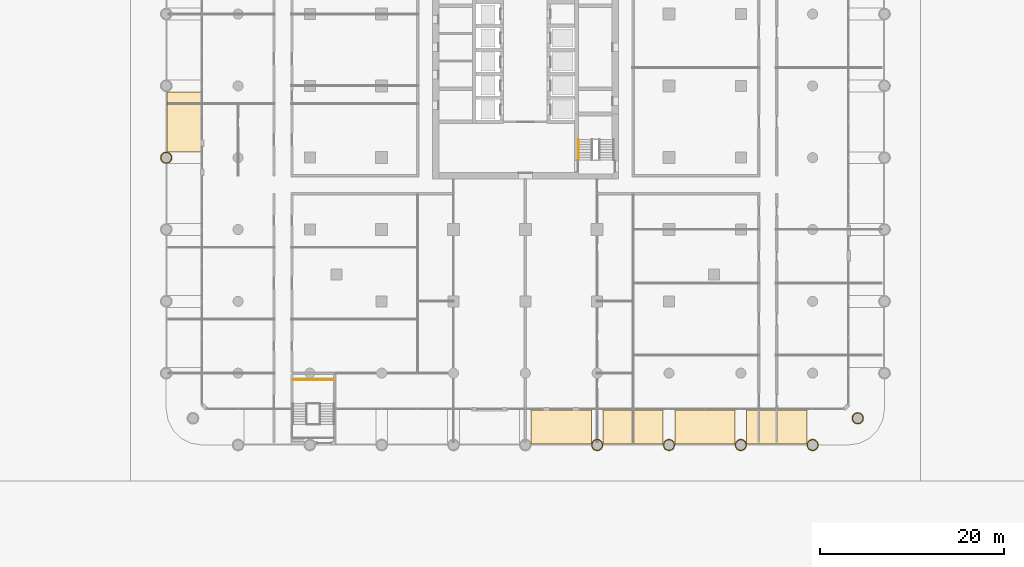
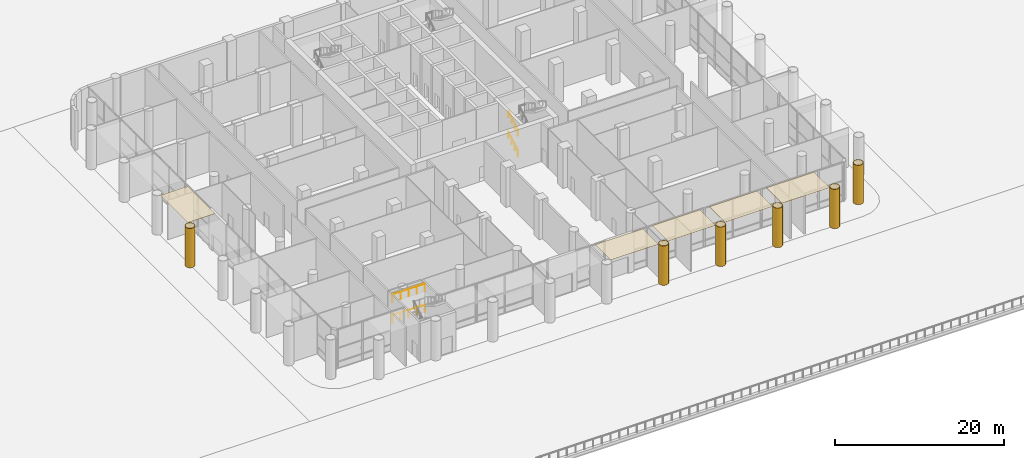
# One storey, part 26 of 32: 11 coverings, 4 railings, 2 elements without a shape of their own.
"""IFC4 building model written with IfcOpenShell, lengths in metres."""

import ifcopenshell
import ifcopenshell.guid

model = None  # the IFC model being written
_history = None  # IfcOwnerHistory: only IFC2X3 demands one
_inside = {}  # id of a spatial element -> (the spatial element, [elements in it])
_under = {}  # id of a project, library or spatial element -> (it, [spatial elements below it])
_declared = {}  # id of a project -> (the project, [libraries it declares])
_typed = {}  # id of a type object -> (the type object, [elements of that type])
_made_of = {}  # id of a material, layer set ... -> (it, [elements and type objects made of it])


def new_model(schema):
    """Start an empty IFC model of exactly this schema.

    Asked for "IFC4X3", IfcOpenShell would pick the latest addendum, in which some entities
    have other attributes; the version numbers below select the first issue.
    IFC2X3 requires an IfcOwnerHistory on every rooted entity: one is made here for all.
    """
    global model, _history
    if schema == "IFC4X3":
        model = ifcopenshell.file(schema_version=(4, 3, 0, 0))
    else:
        model = ifcopenshell.file(schema=schema)
    _inside.clear()
    _under.clear()
    _declared.clear()
    _typed.clear()
    _made_of.clear()
    _history = None
    if model.schema == "IFC2X3":
        org = make("IfcOrganization", Name="unknown")
        user = make(
            "IfcPersonAndOrganization",
            ThePerson=make("IfcPerson", FamilyName="unknown"),
            TheOrganization=org,
        )
        app = make(
            "IfcApplication",
            ApplicationDeveloper=org,
            Version="unknown",
            ApplicationFullName="unknown",
            ApplicationIdentifier="unknown",
        )
        _history = make(
            "IfcOwnerHistory",
            OwningUser=user,
            OwningApplication=app,
            ChangeAction="ADDED",
            CreationDate=0,
        )
    return model


def make(cls, **values):
    """One entity of the class cls with the attributes given. An attribute that is None is left unset."""
    return model.create_entity(
        cls, **{name: value for name, value in values.items() if value is not None}
    )


def rooted(cls, **values):
    """An entity with a GlobalId (a new one), such as an element, a storey or a relation."""
    return make(cls, GlobalId=ifcopenshell.guid.new(), OwnerHistory=_history, **values)


def si_unit(unit_type, name, prefix=None):
    """IfcSIUnit, for example si_unit("LENGTHUNIT", "METRE", prefix="MILLI")."""
    return make("IfcSIUnit", UnitType=unit_type, Prefix=prefix, Name=name)


def assignment(units):
    """IfcUnitAssignment: the units of a project."""
    return None if units is None else make("IfcUnitAssignment", Units=units)


def point(xyz):
    """IfcCartesianPoint."""
    return None if xyz is None else make("IfcCartesianPoint", Coordinates=xyz)


def direction(xyz):
    """IfcDirection."""
    return None if xyz is None else make("IfcDirection", DirectionRatios=xyz)


def frame(location, z_axis=None, x_axis=None):
    """IfcAxis2Placement3D, a coordinate frame: its origin and axes. An axis left out is left unset."""
    return make(
        "IfcAxis2Placement3D",
        Location=point(location),
        Axis=direction(z_axis),
        RefDirection=direction(x_axis),
    )


def frame_2d(location, x_axis=None):
    """IfcAxis2Placement2D, a coordinate frame in the plane: its origin and x axis."""
    return make(
        "IfcAxis2Placement2D", Location=point(location), RefDirection=direction(x_axis)
    )


def origin():
    """The frame at (0, 0, 0) with its axes left unset."""
    return frame((0.0, 0.0, 0.0))


def origin_2d():
    """The frame at (0, 0) in the plane with its x axis left unset."""
    return frame_2d((0.0, 0.0))


def place(relative_to, where):
    """IfcLocalPlacement: puts the frame where relative to a parent placement (None: the world)."""
    return make(
        "IfcLocalPlacement", PlacementRelTo=relative_to, RelativePlacement=where
    )


def context(
    kind, dimensions, precision=None, world=None, true_north=None, identifier=None
):
    """IfcGeometricRepresentationContext, for example the 3D "Model" context."""
    return make(
        "IfcGeometricRepresentationContext",
        ContextIdentifier=identifier,
        ContextType=kind,
        CoordinateSpaceDimension=dimensions,
        Precision=precision,
        WorldCoordinateSystem=world,
        TrueNorth=true_north,
    )


def subcontext(parent, identifier, kind, view, scale=None):
    """IfcGeometricRepresentationSubContext, for example "Body" below "Model"."""
    return make(
        "IfcGeometricRepresentationSubContext",
        ContextIdentifier=identifier,
        ContextType=kind,
        ParentContext=parent,
        TargetScale=scale,
        TargetView=view,
    )


def project(units=None, contexts=None):
    """IfcProject with its units and contexts."""
    return rooted(
        "IfcProject",
        Name="project",
        RepresentationContexts=contexts,
        UnitsInContext=assignment(units),
    )


def spatial(cls, under=None, at=None, **own):
    """A site, building, storey or space (cls), placed at a placement, below another one or the project."""
    s = rooted(cls, ObjectPlacement=at, **own)
    if under is not None:
        _under.setdefault(under.id(), (under, []))[1].append(s)
    return s


def polyline(points):
    """IfcPolyline through the points."""
    return make("IfcPolyline", Points=[point(p) for p in points])


def profile(cls, at=None, kind="AREA", **sizes):
    """A parametric profile (cls). Its sizes go by their IFC names, for example OverallWidth=200.0."""
    return make(cls, ProfileType=kind, Position=at, **sizes)


def rectangle(**sizes):
    """IfcRectangleProfileDef."""
    return profile("IfcRectangleProfileDef", **sizes)


def circle(**sizes):
    """IfcCircleProfileDef."""
    return profile("IfcCircleProfileDef", **sizes)


def outline(outer, holes=None, kind="AREA"):
    """IfcArbitraryClosedProfileDef: a profile drawn as a closed curve; with holes, ...WithVoids."""
    if holes is None:
        return make("IfcArbitraryClosedProfileDef", ProfileType=kind, OuterCurve=outer)
    return make(
        "IfcArbitraryProfileDefWithVoids",
        ProfileType=kind,
        OuterCurve=outer,
        InnerCurves=holes,
    )


def extrude(swept, where, along, depth):
    """IfcExtrudedAreaSolid: the profile swept, set in the frame where, extruded along a direction by depth."""
    return make(
        "IfcExtrudedAreaSolid",
        SweptArea=swept,
        Position=where,
        ExtrudedDirection=direction(along),
        Depth=depth,
    )


def shape(context_of_items, identifier, shape_type, items):
    """IfcShapeRepresentation: the items that make up one representation, for example the "Body"."""
    return make(
        "IfcShapeRepresentation",
        ContextOfItems=context_of_items,
        RepresentationIdentifier=identifier,
        RepresentationType=shape_type,
        Items=items,
    )


def material(Name=None, Category=None):
    """IfcMaterial."""
    return make("IfcMaterial", Name=Name, Category=Category)


def layer(
    of_material, thickness, ventilated=None, Name=None, Category=None, Priority=None
):
    """IfcMaterialLayer: one layer of a wall or slab, of a material (None: an air gap)."""
    return make(
        "IfcMaterialLayer",
        Material=of_material,
        LayerThickness=thickness,
        IsVentilated=ventilated,
        Name=Name,
        Category=Category,
        Priority=Priority,
    )


def layer_set(layers, Name=None):
    """IfcMaterialLayerSet."""
    return make("IfcMaterialLayerSet", MaterialLayers=layers, LayerSetName=Name)


def made_of(thing, what):
    """Note that an element or type object is made of a material, layer set ...; save() writes the relation."""
    if what is not None:
        _made_of.setdefault(what.id(), (what, []))[1].append(thing)
    return thing


def type_object(cls, material=None, **own):
    """A type object (cls), such as IfcWallType, which elements share."""
    return made_of(rooted(cls, **own), material)


def element(
    cls,
    number,
    at=None,
    inside=None,
    cuts=None,
    type_object=None,
    material=None,
    context=None,
    identifier="Body",
    shape_type=None,
    held_by="IfcProductDefinitionShape",
    body=None,
    shapes=None,
    **own,
):
    """One element of the class cls, such as IfcWall. Its Tag is "e" and its number.

    at: its placement. inside: the storey or other place that contains it. cuts: it is an
    opening in that element (IfcRelVoidsElement). A single representation is given by context,
    identifier, shape_type and body (its items); several are given by shapes. held_by: the class
    of the entity that holds the representations. save() writes the other relations.
    """
    e = rooted(cls, Tag="e%d" % number, ObjectPlacement=at, **own)
    if body is not None:
        shapes = [shape(context, identifier, shape_type, body)]
    if shapes is not None:
        e.Representation = make(held_by, Representations=shapes)
    if inside is not None:
        _inside.setdefault(inside.id(), (inside, []))[1].append(e)
    if cuts is not None:
        rooted(
            "IfcRelVoidsElement", RelatingBuildingElement=cuts, RelatedOpeningElement=e
        )
    if type_object is not None:
        _typed.setdefault(type_object.id(), (type_object, []))[1].append(e)
    return made_of(e, material)


def aggregate(whole, parts):
    """IfcRelAggregates: a whole, such as a stair, and the parts it consists of."""
    return rooted("IfcRelAggregates", RelatingObject=whole, RelatedObjects=parts)


def save(model, path):
    """Write the relations noted so far, then the file.

    IfcRelAggregates (storeys below a building ...), IfcRelContainedInSpatialStructure (elements
    in a storey), IfcRelDefinesByType, IfcRelAssociatesMaterial and IfcRelDeclares: one each for
    every whole, place, type object, material and project.
    """
    for whole, parts in _under.values():
        aggregate(whole, parts)
    for where, things in _inside.values():
        rooted(
            "IfcRelContainedInSpatialStructure",
            RelatedElements=things,
            RelatingStructure=where,
        )
    for kind, things in _typed.values():
        rooted("IfcRelDefinesByType", RelatedObjects=things, RelatingType=kind)
    for what, things in _made_of.values():
        rooted("IfcRelAssociatesMaterial", RelatedObjects=things, RelatingMaterial=what)
    for by, libraries in _declared.values():
        rooted("IfcRelDeclares", RelatingContext=by, RelatedDefinitions=libraries)
    model.write(path)


model = new_model("IFC4")

# Units and contexts
model_context = context("Model", 3, precision=1e-05, world=origin(), true_north=direction((0.0, 1.0)))
body_context = subcontext(model_context, "Body", "Model", "MODEL_VIEW")
ifc_project = project(units=[si_unit("LENGTHUNIT", "METRE"), si_unit("AREAUNIT", "SQUARE_METRE"), si_unit("VOLUMEUNIT", "CUBIC_METRE"), si_unit("PLANEANGLEUNIT", "RADIAN"), si_unit("MASSUNIT", "GRAM", prefix="KILO")], contexts=[model_context])

# Site, building, storey
site_placement = place(None, origin())
site = spatial("IfcSite", under=ifc_project, at=site_placement, CompositionType="ELEMENT")
building_placement = place(site_placement, origin())
building = spatial("IfcBuilding", under=site, at=building_placement, Name="Ludao Terraces", CompositionType="ELEMENT")
storey_placement = place(building_placement, origin())
storey = spatial("IfcBuildingStorey", under=building, at=storey_placement, Name="L00", CompositionType="ELEMENT", Elevation=0.0)

# Coverings
ifc_material_1 = material(Name="Stone-effect cement board ceiling lining", Category="masonry")
ifc_layer_1 = layer(ifc_material_1, 0.030029296875)
ifc_layer_set_1 = layer_set([ifc_layer_1], Name="ENV Arcade ceiling lining 30")
covering_type_1 = type_object("IfcCoveringType", Name="ENV Arcade ceiling lining 30", PredefinedType="CEILING", material=ifc_layer_set_1)
for number, where, z_axis, x_axis, name in (
    (1, (88.89990234375, 27.9599609375, 5.669921875), (0.0, 0.0, 1.0), (1.0, 0.0, 0.0), "CL-L00-S5"),
    (2, (96.699951171875, 27.9599609375, 5.669921875), (0.0, 0.0, 1.0), (1.0, 0.0, 0.0), "CL-L00-S6"),
    (3, (104.5, 27.9599609375, 5.669921875), (0.0, 0.0, 1.0), (1.0, 0.0, 0.0), "CL-L00-S7"),
    (4, (112.300048828125, 27.9599609375, 5.669921875), (0.0, 0.0, 1.0), (1.0, 0.0, 0.0), "CL-L00-S8"),
):
    element("IfcCovering", number, at=place(storey_placement, frame(where, z_axis=z_axis, x_axis=x_axis)), inside=storey, type_object=covering_type_1, Name=name, PredefinedType="CEILING", context=body_context, shape_type="SweptSolid", body=[
        extrude(rectangle(XDim=6.52001953125, YDim=3.719970703125, at=origin_2d()), origin(), (0.0, 0.0, 1.0), 0.030029296875),
    ])
covering_1_placement = place(storey_placement, frame((47.9599609375, 61.10009765625, 5.669921875), z_axis=(0.0, 0.0, 1.0), x_axis=(1.0, 0.0, 0.0)))
element("IfcCovering", 5, at=covering_1_placement, inside=storey, type_object=covering_type_1, Name="CL-L00-W4", PredefinedType="CEILING", context=body_context, shape_type="SweptSolid", body=[
    extrude(rectangle(XDim=3.719970703125, YDim=6.52001953125, at=origin_2d()), origin(), (0.0, 0.0, 1.0), 0.030029296875),
])
ifc_material_2 = material(Name="Granite cladding", Category="masonry")
ifc_layer_2 = layer(ifc_material_2, 0.06005859375)
ifc_layer_set_2 = layer_set([ifc_layer_2], Name="ENV Stone column casing 60")
covering_type_2 = type_object("IfcCoveringType", Name="ENV Stone column casing 60", PredefinedType="CLADDING", material=ifc_layer_set_2)
covering_2_placement = place(storey_placement, origin())
element("IfcCovering", 6, at=covering_2_placement, inside=storey, type_object=covering_type_2, Name="CC-L00-G-156x0156", PredefinedType="CLADDING", context=body_context, shape_type="SweptSolid", body=[
    extrude(outline(polyline([(46.61474609375, 57.199951171875), (46.59375, 57.359130859375), (46.532470703125, 57.50732421875), (46.4345703125, 57.634765625), (46.307373046875, 57.732421875), (46.1591796875, 57.793701171875), (46.0, 57.814697265625), (45.8408203125, 57.793701171875), (45.692626953125, 57.732421875), (45.5654296875, 57.634765625), (45.467529296875, 57.50732421875), (45.40625, 57.359130859375), (45.38525390625, 57.199951171875), (45.40625, 57.040771484375), (45.467529296875, 56.892578125), (45.5654296875, 56.765380859375), (45.692626953125, 56.667724609375), (45.8408203125, 56.606201171875), (46.0, 56.585205078125), (46.1591796875, 56.606201171875), (46.307373046875, 56.667724609375), (46.4345703125, 56.765380859375), (46.532470703125, 56.892578125), (46.59375, 57.040771484375), (46.61474609375, 57.199951171875)]), holes=[polyline([(46.535888671875, 57.056396484375), (46.48046875, 56.922607421875), (46.392333984375, 56.8076171875), (46.27734375, 56.719482421875), (46.1435546875, 56.6640625), (46.0, 56.645263671875), (45.8564453125, 56.6640625), (45.72265625, 56.719482421875), (45.607666015625, 56.8076171875), (45.51953125, 56.922607421875), (45.464111328125, 57.056396484375), (45.4453125, 57.199951171875), (45.464111328125, 57.343505859375), (45.51953125, 57.477294921875), (45.607666015625, 57.59228515625), (45.72265625, 57.680419921875), (45.8564453125, 57.73583984375), (46.0, 57.754638671875), (46.1435546875, 57.73583984375), (46.27734375, 57.680419921875), (46.392333984375, 57.59228515625), (46.48046875, 57.477294921875), (46.535888671875, 57.343505859375), (46.5546875, 57.199951171875), (46.535888671875, 57.056396484375)])]), origin(), (0.0, 0.0, 1.0), 5.699951171875),
])
covering_3_placement = place(storey_placement, origin())
element("IfcCovering", 7, at=covering_3_placement, inside=storey, type_object=covering_type_2, Name="CC-L00-G0312x-156", PredefinedType="CLADDING", context=body_context, shape_type="SweptSolid", body=[
    extrude(outline(polyline([(93.414794921875, 26.0), (93.393798828125, 26.1591796875), (93.332275390625, 26.307373046875), (93.234619140625, 26.4345703125), (93.107421875, 26.532470703125), (92.959228515625, 26.59375), (92.800048828125, 26.61474609375), (92.640869140625, 26.59375), (92.49267578125, 26.532470703125), (92.365234375, 26.4345703125), (92.267578125, 26.307373046875), (92.206298828125, 26.1591796875), (92.185302734375, 26.0), (92.206298828125, 25.8408203125), (92.267578125, 25.692626953125), (92.365234375, 25.5654296875), (92.49267578125, 25.467529296875), (92.640869140625, 25.40625), (92.800048828125, 25.38525390625), (92.959228515625, 25.40625), (93.107421875, 25.467529296875), (93.234619140625, 25.5654296875), (93.332275390625, 25.692626953125), (93.393798828125, 25.8408203125), (93.414794921875, 26.0)]), holes=[polyline([(93.3359375, 25.8564453125), (93.280517578125, 25.72265625), (93.1923828125, 25.607666015625), (93.077392578125, 25.51953125), (92.943603515625, 25.464111328125), (92.800048828125, 25.4453125), (92.656494140625, 25.464111328125), (92.522705078125, 25.51953125), (92.40771484375, 25.607666015625), (92.319580078125, 25.72265625), (92.26416015625, 25.8564453125), (92.245361328125, 26.0), (92.26416015625, 26.1435546875), (92.319580078125, 26.27734375), (92.40771484375, 26.392333984375), (92.522705078125, 26.48046875), (92.656494140625, 26.535888671875), (92.800048828125, 26.5546875), (92.943603515625, 26.535888671875), (93.077392578125, 26.48046875), (93.1923828125, 26.392333984375), (93.280517578125, 26.27734375), (93.3359375, 26.1435546875), (93.354736328125, 26.0), (93.3359375, 25.8564453125)])]), origin(), (0.0, 0.0, 1.0), 5.699951171875),
])
covering_4_placement = place(storey_placement, origin())
element("IfcCovering", 8, at=covering_4_placement, inside=storey, type_object=covering_type_2, Name="CC-L00-G0390x-156", PredefinedType="CLADDING", context=body_context, shape_type="SweptSolid", body=[
    extrude(outline(polyline([(101.21484375, 26.0), (101.19384765625, 26.1591796875), (101.13232421875, 26.307373046875), (101.03466796875, 26.4345703125), (100.907470703125, 26.532470703125), (100.759033203125, 26.59375), (100.60009765625, 26.61474609375), (100.44091796875, 26.59375), (100.292724609375, 26.532470703125), (100.165283203125, 26.4345703125), (100.067626953125, 26.307373046875), (100.006103515625, 26.1591796875), (99.9853515625, 26.0), (100.006103515625, 25.8408203125), (100.067626953125, 25.692626953125), (100.165283203125, 25.5654296875), (100.292724609375, 25.467529296875), (100.44091796875, 25.40625), (100.60009765625, 25.38525390625), (100.759033203125, 25.40625), (100.907470703125, 25.467529296875), (101.03466796875, 25.5654296875), (101.13232421875, 25.692626953125), (101.19384765625, 25.8408203125), (101.21484375, 26.0)]), holes=[polyline([(101.1357421875, 25.8564453125), (101.080322265625, 25.72265625), (100.9921875, 25.607666015625), (100.87744140625, 25.51953125), (100.74365234375, 25.464111328125), (100.60009765625, 25.4453125), (100.45654296875, 25.464111328125), (100.322509765625, 25.51953125), (100.207763671875, 25.607666015625), (100.11962890625, 25.72265625), (100.064208984375, 25.8564453125), (100.045166015625, 26.0), (100.064208984375, 26.1435546875), (100.11962890625, 26.27734375), (100.207763671875, 26.392333984375), (100.322509765625, 26.48046875), (100.45654296875, 26.535888671875), (100.60009765625, 26.5546875), (100.74365234375, 26.535888671875), (100.87744140625, 26.48046875), (100.9921875, 26.392333984375), (101.080322265625, 26.27734375), (101.1357421875, 26.1435546875), (101.15478515625, 26.0), (101.1357421875, 25.8564453125)])]), origin(), (0.0, 0.0, 1.0), 5.699951171875),
])
covering_5_placement = place(storey_placement, origin())
element("IfcCovering", 9, at=covering_5_placement, inside=storey, type_object=covering_type_2, Name="CC-L00-G0468x-156", PredefinedType="CLADDING", context=body_context, shape_type="SweptSolid", body=[
    extrude(outline(polyline([(109.0146484375, 26.0), (108.993896484375, 26.1591796875), (108.932373046875, 26.307373046875), (108.834716796875, 26.4345703125), (108.707275390625, 26.532470703125), (108.55908203125, 26.59375), (108.39990234375, 26.61474609375), (108.240966796875, 26.59375), (108.092529296875, 26.532470703125), (107.96533203125, 26.4345703125), (107.86767578125, 26.307373046875), (107.80615234375, 26.1591796875), (107.78515625, 26.0), (107.80615234375, 25.8408203125), (107.86767578125, 25.692626953125), (107.96533203125, 25.5654296875), (108.092529296875, 25.467529296875), (108.240966796875, 25.40625), (108.39990234375, 25.38525390625), (108.55908203125, 25.40625), (108.707275390625, 25.467529296875), (108.834716796875, 25.5654296875), (108.932373046875, 25.692626953125), (108.993896484375, 25.8408203125), (109.0146484375, 26.0)]), holes=[polyline([(108.935791015625, 25.8564453125), (108.88037109375, 25.72265625), (108.792236328125, 25.607666015625), (108.677490234375, 25.51953125), (108.54345703125, 25.464111328125), (108.39990234375, 25.4453125), (108.25634765625, 25.464111328125), (108.12255859375, 25.51953125), (108.0078125, 25.607666015625), (107.919677734375, 25.72265625), (107.8642578125, 25.8564453125), (107.84521484375, 26.0), (107.8642578125, 26.1435546875), (107.919677734375, 26.27734375), (108.0078125, 26.392333984375), (108.12255859375, 26.48046875), (108.25634765625, 26.535888671875), (108.39990234375, 26.5546875), (108.54345703125, 26.535888671875), (108.677490234375, 26.48046875), (108.792236328125, 26.392333984375), (108.88037109375, 26.27734375), (108.935791015625, 26.1435546875), (108.954833984375, 26.0), (108.935791015625, 25.8564453125)])]), origin(), (0.0, 0.0, 1.0), 5.699951171875),
])
covering_6_placement = place(storey_placement, origin())
element("IfcCovering", 10, at=covering_6_placement, inside=storey, type_object=covering_type_2, Name="CC-L00-G0546x-156", PredefinedType="CLADDING", context=body_context, shape_type="SweptSolid", body=[
    extrude(outline(polyline([(116.814697265625, 26.0), (116.793701171875, 26.1591796875), (116.732421875, 26.307373046875), (116.634765625, 26.4345703125), (116.50732421875, 26.532470703125), (116.359130859375, 26.59375), (116.199951171875, 26.61474609375), (116.040771484375, 26.59375), (115.892578125, 26.532470703125), (115.765380859375, 26.4345703125), (115.667724609375, 26.307373046875), (115.606201171875, 26.1591796875), (115.585205078125, 26.0), (115.606201171875, 25.8408203125), (115.667724609375, 25.692626953125), (115.765380859375, 25.5654296875), (115.892578125, 25.467529296875), (116.040771484375, 25.40625), (116.199951171875, 25.38525390625), (116.359130859375, 25.40625), (116.50732421875, 25.467529296875), (116.634765625, 25.5654296875), (116.732421875, 25.692626953125), (116.793701171875, 25.8408203125), (116.814697265625, 26.0)]), holes=[polyline([(116.73583984375, 25.8564453125), (116.680419921875, 25.72265625), (116.59228515625, 25.607666015625), (116.477294921875, 25.51953125), (116.343505859375, 25.464111328125), (116.199951171875, 25.4453125), (116.056396484375, 25.464111328125), (115.922607421875, 25.51953125), (115.8076171875, 25.607666015625), (115.719482421875, 25.72265625), (115.6640625, 25.8564453125), (115.645263671875, 26.0), (115.6640625, 26.1435546875), (115.719482421875, 26.27734375), (115.8076171875, 26.392333984375), (115.922607421875, 26.48046875), (116.056396484375, 26.535888671875), (116.199951171875, 26.5546875), (116.343505859375, 26.535888671875), (116.477294921875, 26.48046875), (116.59228515625, 26.392333984375), (116.680419921875, 26.27734375), (116.73583984375, 26.1435546875), (116.754638671875, 26.0), (116.73583984375, 25.8564453125)])]), origin(), (0.0, 0.0, 1.0), 5.699951171875),
])
covering_7_placement = place(storey_placement, origin())
element("IfcCovering", 11, at=covering_7_placement, inside=storey, type_object=covering_type_2, Name="CC-L00-G0595x-127", PredefinedType="CLADDING", context=body_context, shape_type="SweptSolid", body=[
    extrude(outline(polyline([(121.71484375, 28.89990234375), (121.69384765625, 29.05908203125), (121.63232421875, 29.207275390625), (121.53466796875, 29.334716796875), (121.407470703125, 29.432373046875), (121.259033203125, 29.493896484375), (121.10009765625, 29.5146484375), (120.94091796875, 29.493896484375), (120.792724609375, 29.432373046875), (120.665283203125, 29.334716796875), (120.567626953125, 29.207275390625), (120.506103515625, 29.05908203125), (120.4853515625, 28.89990234375), (120.506103515625, 28.740966796875), (120.567626953125, 28.592529296875), (120.665283203125, 28.46533203125), (120.792724609375, 28.36767578125), (120.94091796875, 28.30615234375), (121.10009765625, 28.28515625), (121.259033203125, 28.30615234375), (121.407470703125, 28.36767578125), (121.53466796875, 28.46533203125), (121.63232421875, 28.592529296875), (121.69384765625, 28.740966796875), (121.71484375, 28.89990234375)]), holes=[polyline([(121.6357421875, 28.75634765625), (121.580322265625, 28.62255859375), (121.4921875, 28.5078125), (121.37744140625, 28.419677734375), (121.24365234375, 28.3642578125), (121.10009765625, 28.34521484375), (120.95654296875, 28.3642578125), (120.822509765625, 28.419677734375), (120.707763671875, 28.5078125), (120.61962890625, 28.62255859375), (120.564208984375, 28.75634765625), (120.545166015625, 28.89990234375), (120.564208984375, 29.04345703125), (120.61962890625, 29.177490234375), (120.707763671875, 29.292236328125), (120.822509765625, 29.38037109375), (120.95654296875, 29.435791015625), (121.10009765625, 29.454833984375), (121.24365234375, 29.435791015625), (121.37744140625, 29.38037109375), (121.4921875, 29.292236328125), (121.580322265625, 29.177490234375), (121.6357421875, 29.04345703125), (121.65478515625, 28.89990234375), (121.6357421875, 28.75634765625)])]), origin(), (0.0, 0.0, 1.0), 5.699951171875),
])

# Stair, railings
ifc_material_3 = material(Name="Concrete C40", Category="concrete")
stair_type = type_object("IfcStairType", Name="INT Stair", PredefinedType="HALF_TURN_STAIR", material=ifc_material_3)
stair_1_placement = place(storey_placement, origin())
stair_1 = element("IfcStair", 12, at=stair_1_placement, inside=storey, type_object=stair_type, Name="EXIT STAIR 4", PredefinedType="HALF_TURN_STAIR")
ifc_material_4 = material(Name="Stainless steel 304", Category="steel")
railing_type_1 = type_object("IfcRailingType", Name="INT Stair guard 1100", PredefinedType="GUARDRAIL", material=ifc_material_4)
railing_1_placement = place(storey_placement, frame((59.75, 33.050048828125, 1.5)))
railing_1 = element("IfcRailing", 13, at=railing_1_placement, type_object=railing_type_1, Name="ST-L00-S4-E2G", PredefinedType="GUARDRAIL", context=body_context, shape_type="SweptSolid", body=[
    extrude(circle(Radius=0.02392578125, at=origin_2d()), frame((0.0, 0.0, 1.076171875), z_axis=(1.0, 0.0, 0.0), x_axis=(0.0, 1.0, 0.0)), (0.0, 0.0, 1.0), 4.449951171875),
    extrude(circle(Radius=0.02099609375, at=origin_2d()), origin(), (0.0, 0.0, 1.0), 1.052001953125),
    extrude(circle(Radius=0.02099609375, at=origin_2d()), frame((1.112548828125, 0.0, 0.0)), (0.0, 0.0, 1.0), 1.052001953125),
    extrude(circle(Radius=0.02099609375, at=origin_2d()), frame((2.22509765625, 0.0, 0.0)), (0.0, 0.0, 1.0), 1.052001953125),
    extrude(circle(Radius=0.02099609375, at=origin_2d()), frame((3.33740234375, 0.0, 0.0)), (0.0, 0.0, 1.0), 1.052001953125),
    extrude(circle(Radius=0.02099609375, at=origin_2d()), frame((4.449951171875, 0.0, 0.0)), (0.0, 0.0, 1.0), 1.052001953125),
])
railing_2_placement = place(storey_placement, frame((59.75, 33.050048828125, 4.5)))
railing_2 = element("IfcRailing", 14, at=railing_2_placement, type_object=railing_type_1, Name="ST-L00-S4-E6G", PredefinedType="GUARDRAIL", context=body_context, shape_type="SweptSolid", body=[
    extrude(circle(Radius=0.02392578125, at=origin_2d()), frame((0.0, 0.0, 1.076171875), z_axis=(1.0, 0.0, 0.0), x_axis=(0.0, 1.0, 0.0)), (0.0, 0.0, 1.0), 4.449951171875),
    extrude(circle(Radius=0.02099609375, at=origin_2d()), origin(), (0.0, 0.0, 1.0), 1.052001953125),
    extrude(circle(Radius=0.02099609375, at=origin_2d()), frame((1.112548828125, 0.0, 0.0)), (0.0, 0.0, 1.0), 1.052001953125),
    extrude(circle(Radius=0.02099609375, at=origin_2d()), frame((2.22509765625, 0.0, 0.0)), (0.0, 0.0, 1.0), 1.052001953125),
    extrude(circle(Radius=0.02099609375, at=origin_2d()), frame((3.33740234375, 0.0, 0.0)), (0.0, 0.0, 1.0), 1.052001953125),
    extrude(circle(Radius=0.02099609375, at=origin_2d()), frame((4.449951171875, 0.0, 0.0)), (0.0, 0.0, 1.0), 1.052001953125),
])
aggregate(stair_1, [railing_1, railing_2])

stair_2_placement = place(storey_placement, origin())
stair_2 = element("IfcStair", 15, at=stair_2_placement, inside=storey, type_object=stair_type, Name="EXIT STAIR 3", PredefinedType="HALF_TURN_STAIR")
railing_type_2 = type_object("IfcRailingType", Name="INT Stair handrail 900", PredefinedType="HANDRAIL", material=ifc_material_4)
railing_3_placement = place(storey_placement, frame((90.75, 56.949951171875, 0.166748046875)))
railing_3 = element("IfcRailing", 16, at=railing_3_placement, type_object=railing_type_2, Name="ST-L00-S3-R1H", PredefinedType="HANDRAIL", context=body_context, shape_type="SweptSolid", body=[
    extrude(circle(Radius=0.02392578125, at=origin_2d()), frame((0.0, 0.0, 0.8759765625), z_axis=(0.0, 0.859305625298, 0.511462454469), x_axis=(-1.0, 0.0, 0.0)), (0.0, 0.0, 1.0), 2.606689453125),
    extrude(circle(Radius=0.02099609375, at=origin_2d()), origin(), (0.0, 0.0, 1.0), 0.851806640625),
    extrude(circle(Radius=0.02099609375, at=origin_2d()), frame((0.0, 0.74658203125, 0.4443359375)), (0.0, 0.0, 1.0), 0.851806640625),
    extrude(circle(Radius=0.02099609375, at=origin_2d()), frame((0.0, 1.493408203125, 0.888916015625)), (0.0, 0.0, 1.0), 0.851806640625),
    extrude(circle(Radius=0.02099609375, at=origin_2d()), frame((0.0, 2.239990234375, 1.333251953125)), (0.0, 0.0, 1.0), 0.851806640625),
])
railing_4_placement = place(storey_placement, frame((90.75, 56.949951171875, 3.166748046875)))
railing_4 = element("IfcRailing", 17, at=railing_4_placement, type_object=railing_type_2, Name="ST-L00-S3-R3H", PredefinedType="HANDRAIL", context=body_context, shape_type="SweptSolid", body=[
    extrude(circle(Radius=0.02392578125, at=origin_2d()), frame((0.0, 0.0, 0.8759765625), z_axis=(0.0, 0.859305625298, 0.511462454469), x_axis=(-1.0, 0.0, 0.0)), (0.0, 0.0, 1.0), 2.606689453125),
    extrude(circle(Radius=0.02099609375, at=origin_2d()), origin(), (0.0, 0.0, 1.0), 0.851806640625),
    extrude(circle(Radius=0.02099609375, at=origin_2d()), frame((0.0, 0.74658203125, 0.4443359375)), (0.0, 0.0, 1.0), 0.851806640625),
    extrude(circle(Radius=0.02099609375, at=origin_2d()), frame((0.0, 1.493408203125, 0.888916015625)), (0.0, 0.0, 1.0), 0.851806640625),
    extrude(circle(Radius=0.02099609375, at=origin_2d()), frame((0.0, 2.239990234375, 1.333251953125)), (0.0, 0.0, 1.0), 0.851806640625),
])
aggregate(stair_2, [railing_3, railing_4])

save(model, "model.ifc")
